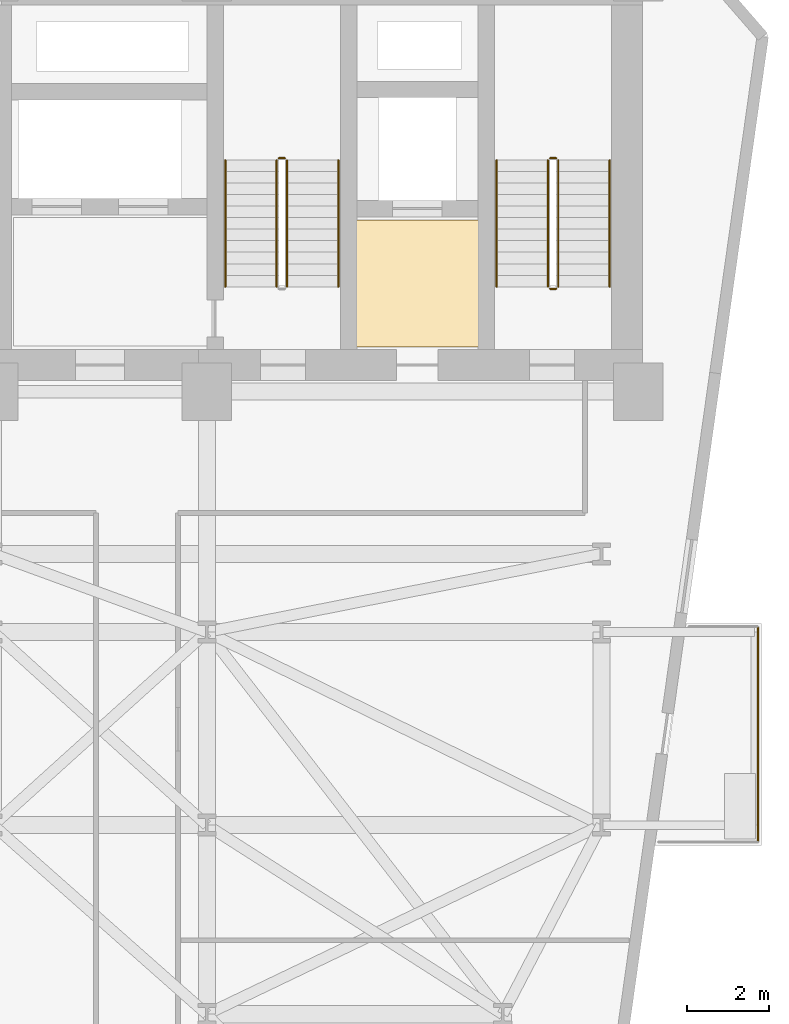
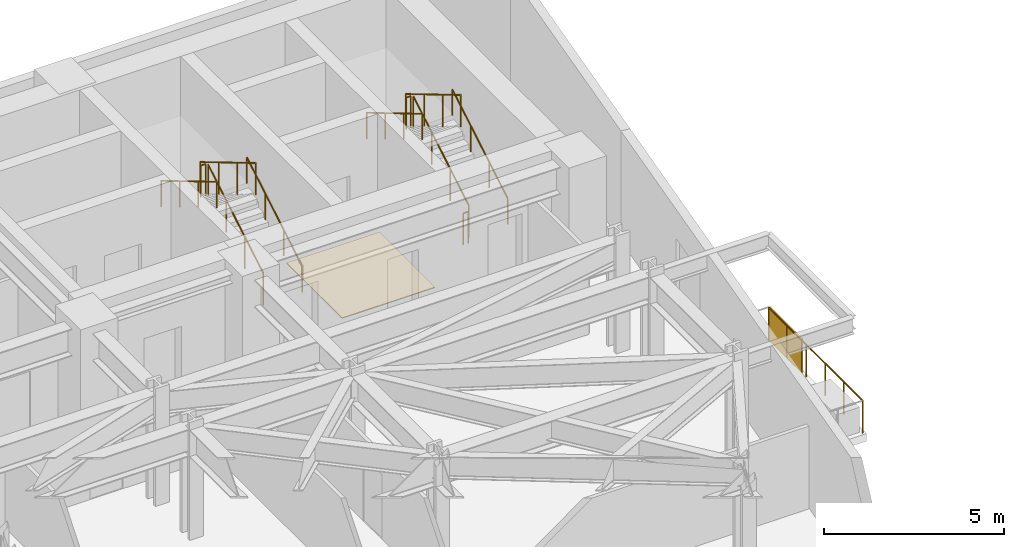
# One storey, part 24 of 24: 12 railings, 1 covering, 1 shading device.
"""IFC4 building model written with IfcOpenShell, lengths in metres."""

from ifc_helpers import new_model, si_unit, direction, frame, origin, origin_2d, place, context, subcontext, project, spatial, polyline, rectangle, circle, outline, extrude, material, layer, layer_set, type_object, element, save


model = new_model("IFC4")

# Units and contexts
model_context = context("Model", 3, precision=1e-05, world=origin(), true_north=direction((0.0, 1.0)))
body_context = subcontext(model_context, "Body", "Model", "MODEL_VIEW")
ifc_project = project(units=[si_unit("LENGTHUNIT", "METRE"), si_unit("AREAUNIT", "SQUARE_METRE"), si_unit("VOLUMEUNIT", "CUBIC_METRE"), si_unit("PLANEANGLEUNIT", "RADIAN"), si_unit("MASSUNIT", "GRAM", prefix="KILO")], contexts=[model_context])

# Site, building, storey
site_placement = place(None, origin())
site = spatial("IfcSite", under=ifc_project, at=site_placement, CompositionType="ELEMENT")
building_placement = place(site_placement, origin())
building = spatial("IfcBuilding", under=site, at=building_placement, Name="Kravanh Interchange Tower", CompositionType="ELEMENT")
storey_placement = place(building_placement, frame((0.0, 0.0, 45.5)))
storey = spatial("IfcBuildingStorey", under=building, at=storey_placement, Name="L10", CompositionType="ELEMENT", Elevation=45.5)

# Covering
ifc_material_1 = material(Name="Cementitious Terrazzo Tile")
ifc_layer_1 = layer(ifc_material_1, 0.030029296875)
ifc_layer_set_1 = layer_set([ifc_layer_1], Name="Honed Terrazzo Lobby Flooring 30mm")
covering_type = type_object("IfcCoveringType", Name="Honed Terrazzo Lobby Flooring 30mm", PredefinedType="FLOORING", material=ifc_layer_set_1)
covering_placement = place(storey_placement, origin())
element("IfcCovering", 1, at=covering_placement, inside=storey, type_object=covering_type, Name="L10 Service Lift Lobby Floor Finish", PredefinedType="FLOORING", context=body_context, shape_type="SweptSolid", body=[
    extrude(outline(polyline([(59.6298828125, 41.52001953125), (62.6201171875, 41.52001953125), (62.6201171875, 38.429931640625), (59.6298828125, 38.429931640625), (59.6298828125, 41.52001953125)])), origin(), (0.0, 0.0, 1.0), 0.030029296875),
])

# Shading device
ifc_material_2 = material(Name="Perforated Anodised Bronze Aluminium", Category="aluminium")
ifc_layer_2 = layer(ifc_material_2, 0.0400390625)
ifc_layer_set_2 = layer_set([ifc_layer_2], Name="Perforated Bronze Balcony Privacy Screen 1150mm")
shading_device_type = type_object("IfcShadingDeviceType", Name="Perforated Bronze Balcony Privacy Screen 1150mm", PredefinedType="USERDEFINED", material=ifc_layer_set_2)
shading_device_placement = place(storey_placement, frame((69.409912109375, 30.659912109375, 0.0), z_axis=(0.0, 0.0, 1.0), x_axis=(1.0, 0.0, 0.0)))
element("IfcShadingDevice", 2, at=shading_device_placement, inside=storey, type_object=shading_device_type, Name="L10 E Perforated Bronze BALCONY SCREEN", ObjectType="SCREEN", PredefinedType="USERDEFINED", context=body_context, shape_type="SweptSolid", body=[
    extrude(rectangle(XDim=0.0400390625, YDim=1.800048828125, at=origin_2d()), origin(), (0.0, 0.0, 1.0), 1.14990234375),
])

# Railings
ifc_material_3 = material(Name="Stainless Steel 316", Category="steel")
ifc_layer_3 = layer(ifc_material_3, 0.06005859375)
ifc_layer_set_3 = layer_set([ifc_layer_3], Name="Perimeter Balcony and Terrace Guardrail Stainless 316 1120mm")
railing_type_1 = type_object("IfcRailingType", Name="Perimeter Balcony and Terrace Guardrail Stainless 316 1120mm", PredefinedType="GUARDRAIL", material=ifc_layer_set_3)
railing_1_placement = place(storey_placement, frame((69.409912109375, 31.6298828125, 0.0)))
element("IfcRailing", 3, at=railing_1_placement, inside=storey, type_object=railing_type_1, Name="L10 E Balcony Guardrail 1", PredefinedType="GUARDRAIL", context=body_context, shape_type="SweptSolid", body=[
    extrude(circle(Radius=0.02392578125, at=origin_2d()), frame((0.0, 0.0, 1.09619140625), z_axis=(0.0, -1.0, 0.0), x_axis=(1.0, 0.0, 0.0)), (0.0, 0.0, 1.0), 5.239990234375),
    extrude(circle(Radius=0.02099609375, at=origin_2d()), origin(), (0.0, 0.0, 1.0), 1.072021484375),
    extrude(circle(Radius=0.02099609375, at=origin_2d()), frame((0.0, -1.048095703125, 0.0)), (0.0, 0.0, 1.0), 1.072021484375),
    extrude(circle(Radius=0.02099609375, at=origin_2d()), frame((0.0, -2.095947265625, 0.0)), (0.0, 0.0, 1.0), 1.072021484375),
    extrude(circle(Radius=0.02099609375, at=origin_2d()), frame((0.0, -3.14404296875, 0.0)), (0.0, 0.0, 1.0), 1.072021484375),
    extrude(circle(Radius=0.02099609375, at=origin_2d()), frame((0.0, -4.19189453125, 0.0)), (0.0, 0.0, 1.0), 1.072021484375),
    extrude(circle(Radius=0.02099609375, at=origin_2d()), frame((0.0, -5.239990234375, 0.0)), (0.0, 0.0, 1.0), 1.072021484375),
])
ifc_material_4 = material(Name="Structural Steel S355", Category="steel")
ifc_layer_4 = layer(ifc_material_4, 0.050048828125)
ifc_layer_set_4 = layer_set([ifc_layer_4], Name="Stair Well Guardrail Structural Steel S355 1100mm")
railing_type_2 = type_object("IfcRailingType", Name="Stair Well Guardrail Structural Steel S355 1100mm", PredefinedType="GUARDRAIL", material=ifc_layer_set_4)
railing_2_placement = place(storey_placement, frame((64.550048828125, 39.89990234375, 0.166748046875)))
element("IfcRailing", 4, at=railing_2_placement, inside=storey, type_object=railing_type_2, Name="L10 ST1 stair guard 1", PredefinedType="GUARDRAIL", context=body_context, shape_type="SweptSolid", body=[
    extrude(circle(Radius=0.02392578125, at=origin_2d()), frame((0.0, 0.0, 1.076171875), z_axis=(0.0, 0.859308565015, 0.511457515432), x_axis=(-1.0, 0.0, 0.0)), (0.0, 0.0, 1.0), 3.58447265625),
    extrude(circle(Radius=0.02099609375, at=origin_2d()), origin(), (0.0, 0.0, 1.0), 1.052001953125),
    extrude(circle(Radius=0.02099609375, at=origin_2d()), frame((0.0, 1.026611328125, 0.611083984375)), (0.0, 0.0, 1.0), 1.052001953125),
    extrude(circle(Radius=0.02099609375, at=origin_2d()), frame((0.0, 2.053466796875, 1.22216796875)), (0.0, 0.0, 1.0), 1.052001953125),
    extrude(circle(Radius=0.02099609375, at=origin_2d()), frame((0.0, 3.080078125, 1.833251953125)), (0.0, 0.0, 1.0), 1.052001953125),
])
railing_3_placement = place(storey_placement, frame((64.5, 43.030029296875, 2.0)))
element("IfcRailing", 5, at=railing_3_placement, inside=storey, type_object=railing_type_2, Name="L10 ST1 stair guard 2", PredefinedType="GUARDRAIL", context=body_context, shape_type="SweptSolid", body=[
    extrude(circle(Radius=0.02392578125, at=origin_2d()), frame((0.0, 0.0, 1.076171875), z_axis=(-1.0, 0.0, 0.0), x_axis=(0.0, -1.0, 0.0)), (0.0, 0.0, 1.0), 0.14990234375),
    extrude(circle(Radius=0.02099609375, at=origin_2d()), origin(), (0.0, 0.0, 1.0), 1.052001953125),
    extrude(circle(Radius=0.02099609375, at=origin_2d()), frame((-0.14990234375, 0.0, 0.0)), (0.0, 0.0, 1.0), 1.052001953125),
])
railing_4_placement = place(storey_placement, frame((64.300048828125, 42.97998046875, 2.166748046875)))
element("IfcRailing", 6, at=railing_4_placement, inside=storey, type_object=railing_type_2, Name="L10 ST1 stair guard 3", PredefinedType="GUARDRAIL", context=body_context, shape_type="SweptSolid", body=[
    extrude(circle(Radius=0.02392578125, at=origin_2d()), frame((0.0, 0.0, 1.076171875), z_axis=(0.0, -0.859308565015, 0.511457515432), x_axis=(1.0, 0.0, 0.0)), (0.0, 0.0, 1.0), 3.58447265625),
    extrude(circle(Radius=0.02099609375, at=origin_2d()), origin(), (0.0, 0.0, 1.0), 1.052001953125),
    extrude(circle(Radius=0.02099609375, at=origin_2d()), frame((0.0, -1.026611328125, 0.611083984375)), (0.0, 0.0, 1.0), 1.052001953125),
    extrude(circle(Radius=0.02099609375, at=origin_2d()), frame((0.0, -2.053466796875, 1.22216796875)), (0.0, 0.0, 1.0), 1.052001953125),
    extrude(circle(Radius=0.02099609375, at=origin_2d()), frame((0.0, -3.080078125, 1.833251953125)), (0.0, 0.0, 1.0), 1.052001953125),
])
railing_5_placement = place(storey_placement, frame((64.5, 39.85009765625, 0.0)))
element("IfcRailing", 7, at=railing_5_placement, inside=storey, type_object=railing_type_2, Name="L10 ST1 stair guard 4", PredefinedType="GUARDRAIL", context=body_context, shape_type="SweptSolid", body=[
    extrude(circle(Radius=0.02392578125, at=origin_2d()), frame((0.0, 0.0, 1.076171875), z_axis=(-1.0, 0.0, 0.0), x_axis=(0.0, -1.0, 0.0)), (0.0, 0.0, 1.0), 0.14990234375),
    extrude(circle(Radius=0.02099609375, at=origin_2d()), origin(), (0.0, 0.0, 1.0), 1.052001953125),
    extrude(circle(Radius=0.02099609375, at=origin_2d()), frame((-0.14990234375, 0.0, 0.0)), (0.0, 0.0, 1.0), 1.052001953125),
])
railing_6_placement = place(storey_placement, frame((57.949951171875, 39.89990234375, 0.166748046875)))
element("IfcRailing", 8, at=railing_6_placement, inside=storey, type_object=railing_type_2, Name="L10 ST2 stair guard 1", PredefinedType="GUARDRAIL", context=body_context, shape_type="SweptSolid", body=[
    extrude(circle(Radius=0.02392578125, at=origin_2d()), frame((0.0, 0.0, 1.076171875), z_axis=(0.0, 0.859308565015, 0.511457515432), x_axis=(-1.0, 0.0, 0.0)), (0.0, 0.0, 1.0), 3.58447265625),
    extrude(circle(Radius=0.02099609375, at=origin_2d()), origin(), (0.0, 0.0, 1.0), 1.052001953125),
    extrude(circle(Radius=0.02099609375, at=origin_2d()), frame((0.0, 1.026611328125, 0.611083984375)), (0.0, 0.0, 1.0), 1.052001953125),
    extrude(circle(Radius=0.02099609375, at=origin_2d()), frame((0.0, 2.053466796875, 1.22216796875)), (0.0, 0.0, 1.0), 1.052001953125),
    extrude(circle(Radius=0.02099609375, at=origin_2d()), frame((0.0, 3.080078125, 1.833251953125)), (0.0, 0.0, 1.0), 1.052001953125),
])
railing_7_placement = place(storey_placement, frame((57.89990234375, 43.030029296875, 2.0)))
element("IfcRailing", 9, at=railing_7_placement, inside=storey, type_object=railing_type_2, Name="L10 ST2 stair guard 2", PredefinedType="GUARDRAIL", context=body_context, shape_type="SweptSolid", body=[
    extrude(circle(Radius=0.02392578125, at=origin_2d()), frame((0.0, 0.0, 1.076171875), z_axis=(-1.0, 0.0, 0.0), x_axis=(0.0, -1.0, 0.0)), (0.0, 0.0, 1.0), 0.14990234375),
    extrude(circle(Radius=0.02099609375, at=origin_2d()), origin(), (0.0, 0.0, 1.0), 1.052001953125),
    extrude(circle(Radius=0.02099609375, at=origin_2d()), frame((-0.14990234375, 0.0, 0.0)), (0.0, 0.0, 1.0), 1.052001953125),
])
railing_8_placement = place(storey_placement, frame((57.699951171875, 42.97998046875, 2.166748046875)))
element("IfcRailing", 10, at=railing_8_placement, inside=storey, type_object=railing_type_2, Name="L10 ST2 stair guard 3", PredefinedType="GUARDRAIL", context=body_context, shape_type="SweptSolid", body=[
    extrude(circle(Radius=0.02392578125, at=origin_2d()), frame((0.0, 0.0, 1.076171875), z_axis=(0.0, -0.859308565015, 0.511457515432), x_axis=(1.0, 0.0, 0.0)), (0.0, 0.0, 1.0), 3.58447265625),
    extrude(circle(Radius=0.02099609375, at=origin_2d()), origin(), (0.0, 0.0, 1.0), 1.052001953125),
    extrude(circle(Radius=0.02099609375, at=origin_2d()), frame((0.0, -1.026611328125, 0.611083984375)), (0.0, 0.0, 1.0), 1.052001953125),
    extrude(circle(Radius=0.02099609375, at=origin_2d()), frame((0.0, -2.053466796875, 1.22216796875)), (0.0, 0.0, 1.0), 1.052001953125),
    extrude(circle(Radius=0.02099609375, at=origin_2d()), frame((0.0, -3.080078125, 1.833251953125)), (0.0, 0.0, 1.0), 1.052001953125),
])
ifc_material_5 = material(Name="Stainless Steel 304", Category="steel")
ifc_layer_5 = layer(ifc_material_5, 0.044921875)
ifc_layer_set_5 = layer_set([ifc_layer_5], Name="Tubular Stair Handrail Stainless 304 900mm")
railing_type_3 = type_object("IfcRailingType", Name="Tubular Stair Handrail Stainless 304 900mm", PredefinedType="HANDRAIL", material=ifc_layer_set_5)
railing_9_placement = place(storey_placement, frame((65.800048828125, 39.89990234375, 0.166748046875)))
element("IfcRailing", 11, at=railing_9_placement, inside=storey, type_object=railing_type_3, Name="L10 ST1 stair handrail 1", PredefinedType="HANDRAIL", context=body_context, shape_type="SweptSolid", body=[
    extrude(circle(Radius=0.02392578125, at=origin_2d()), frame((0.0, 0.0, 0.8759765625), z_axis=(0.0, 0.859308565015, 0.511457515432), x_axis=(-1.0, 0.0, 0.0)), (0.0, 0.0, 1.0), 3.58447265625),
    extrude(circle(Radius=0.02099609375, at=origin_2d()), origin(), (0.0, 0.0, 1.0), 0.851806640625),
    extrude(circle(Radius=0.02099609375, at=origin_2d()), frame((0.0, 1.026611328125, 0.611083984375)), (0.0, 0.0, 1.0), 0.851806640625),
    extrude(circle(Radius=0.02099609375, at=origin_2d()), frame((0.0, 2.053466796875, 1.22216796875)), (0.0, 0.0, 1.0), 0.851806640625),
    extrude(circle(Radius=0.02099609375, at=origin_2d()), frame((0.0, 3.080078125, 1.833251953125)), (0.0, 0.0, 1.0), 0.851806640625),
])
railing_10_placement = place(storey_placement, frame((63.050048828125, 42.97998046875, 2.166748046875)))
element("IfcRailing", 12, at=railing_10_placement, inside=storey, type_object=railing_type_3, Name="L10 ST1 stair handrail 2", PredefinedType="HANDRAIL", context=body_context, shape_type="SweptSolid", body=[
    extrude(circle(Radius=0.02392578125, at=origin_2d()), frame((0.0, 0.0, 0.8759765625), z_axis=(0.0, -0.859308565015, 0.511457515432), x_axis=(1.0, 0.0, 0.0)), (0.0, 0.0, 1.0), 3.58447265625),
    extrude(circle(Radius=0.02099609375, at=origin_2d()), origin(), (0.0, 0.0, 1.0), 0.851806640625),
    extrude(circle(Radius=0.02099609375, at=origin_2d()), frame((0.0, -1.026611328125, 0.611083984375)), (0.0, 0.0, 1.0), 0.851806640625),
    extrude(circle(Radius=0.02099609375, at=origin_2d()), frame((0.0, -2.053466796875, 1.22216796875)), (0.0, 0.0, 1.0), 0.851806640625),
    extrude(circle(Radius=0.02099609375, at=origin_2d()), frame((0.0, -3.080078125, 1.833251953125)), (0.0, 0.0, 1.0), 0.851806640625),
])
railing_11_placement = place(storey_placement, frame((59.199951171875, 39.89990234375, 0.166748046875)))
element("IfcRailing", 13, at=railing_11_placement, inside=storey, type_object=railing_type_3, Name="L10 ST2 stair handrail 1", PredefinedType="HANDRAIL", context=body_context, shape_type="SweptSolid", body=[
    extrude(circle(Radius=0.02392578125, at=origin_2d()), frame((0.0, 0.0, 0.8759765625), z_axis=(0.0, 0.859308565015, 0.511457515432), x_axis=(-1.0, 0.0, 0.0)), (0.0, 0.0, 1.0), 3.58447265625),
    extrude(circle(Radius=0.02099609375, at=origin_2d()), origin(), (0.0, 0.0, 1.0), 0.851806640625),
    extrude(circle(Radius=0.02099609375, at=origin_2d()), frame((0.0, 1.026611328125, 0.611083984375)), (0.0, 0.0, 1.0), 0.851806640625),
    extrude(circle(Radius=0.02099609375, at=origin_2d()), frame((0.0, 2.053466796875, 1.22216796875)), (0.0, 0.0, 1.0), 0.851806640625),
    extrude(circle(Radius=0.02099609375, at=origin_2d()), frame((0.0, 3.080078125, 1.833251953125)), (0.0, 0.0, 1.0), 0.851806640625),
])
railing_12_placement = place(storey_placement, frame((56.449951171875, 42.97998046875, 2.166748046875)))
element("IfcRailing", 14, at=railing_12_placement, inside=storey, type_object=railing_type_3, Name="L10 ST2 stair handrail 2", PredefinedType="HANDRAIL", context=body_context, shape_type="SweptSolid", body=[
    extrude(circle(Radius=0.02392578125, at=origin_2d()), frame((0.0, 0.0, 0.8759765625), z_axis=(0.0, -0.859308565015, 0.511457515432), x_axis=(1.0, 0.0, 0.0)), (0.0, 0.0, 1.0), 3.58447265625),
    extrude(circle(Radius=0.02099609375, at=origin_2d()), origin(), (0.0, 0.0, 1.0), 0.851806640625),
    extrude(circle(Radius=0.02099609375, at=origin_2d()), frame((0.0, -1.026611328125, 0.611083984375)), (0.0, 0.0, 1.0), 0.851806640625),
    extrude(circle(Radius=0.02099609375, at=origin_2d()), frame((0.0, -2.053466796875, 1.22216796875)), (0.0, 0.0, 1.0), 0.851806640625),
    extrude(circle(Radius=0.02099609375, at=origin_2d()), frame((0.0, -3.080078125, 1.833251953125)), (0.0, 0.0, 1.0), 0.851806640625),
])

save(model, "model.ifc")
